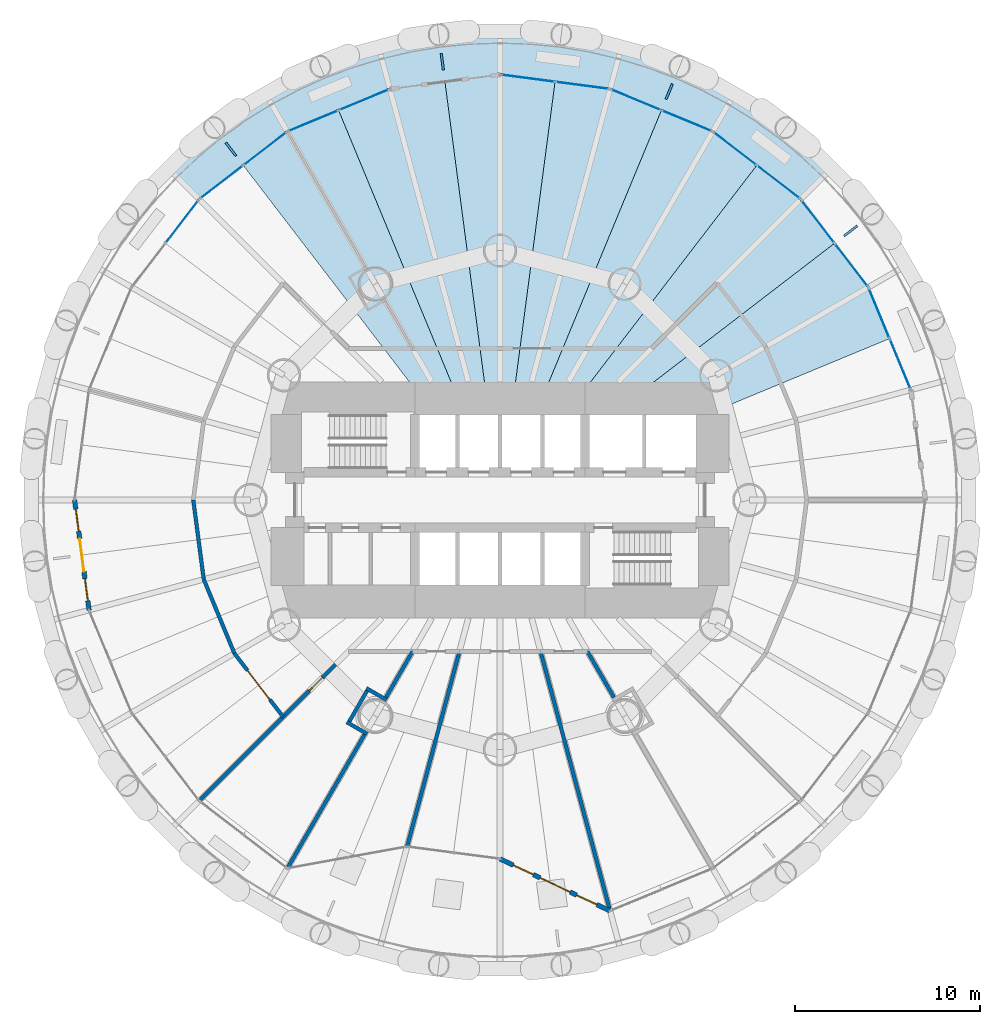
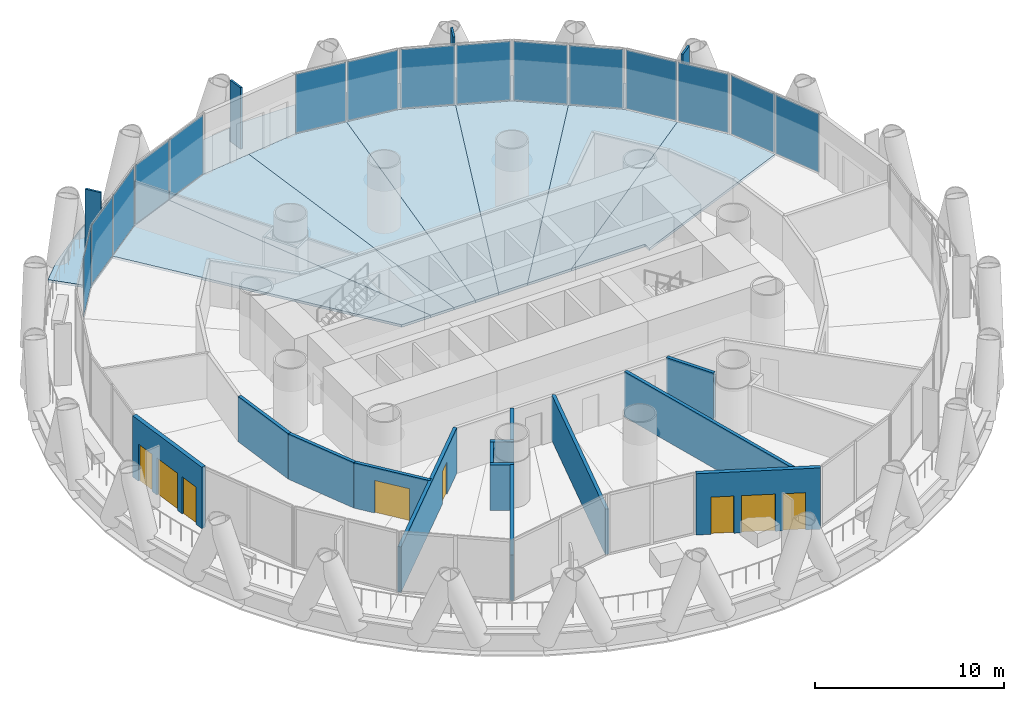
# One storey, part 9 of 15: 19 plates, 14 walls, 8 slabs, 4 doors, 4 windows, 8 openings, 8 elements without a shape of their own.
"""IFC4 building model written with IfcOpenShell, lengths in metres."""

from ifc_helpers import new_model, si_unit, direction, frame, frame_2d, origin, origin_2d, place, context, subcontext, project, spatial, polyline, rectangle, outline, extrude, material, layer, layer_set, type_object, element, fill, aggregate, save


model = new_model("IFC4")

# Units and contexts
model_context = context("Model", 3, precision=1e-05, world=origin(), true_north=direction((0.0, 1.0)))
body_context = subcontext(model_context, "Body", "Model", "MODEL_VIEW")
ifc_project = project(units=[si_unit("LENGTHUNIT", "METRE"), si_unit("AREAUNIT", "SQUARE_METRE"), si_unit("VOLUMEUNIT", "CUBIC_METRE"), si_unit("PLANEANGLEUNIT", "RADIAN"), si_unit("MASSUNIT", "GRAM", prefix="KILO")], contexts=[model_context])

# Site, building, storey
site_placement = place(None, origin())
site = spatial("IfcSite", under=ifc_project, at=site_placement, CompositionType="ELEMENT")
building_placement = place(site_placement, origin())
building = spatial("IfcBuilding", under=site, at=building_placement, Name="Qaws Media Tower", CompositionType="ELEMENT")
storey_placement = place(building_placement, frame((0.0, 0.0, 97.39990234375)))
storey = spatial("IfcBuildingStorey", under=building, at=storey_placement, Name="L21", CompositionType="ELEMENT", Elevation=97.39990234375)

# Slabs
ifc_material_1 = material(Name="Concrete C35/45", Category="concrete")
ifc_layer_1 = layer(ifc_material_1, 0.159912109375)
ifc_layer_set_1 = layer_set([ifc_layer_1], Name="Composite balcony slab 160")
slab_type_1 = type_object("IfcSlabType", Name="Composite balcony slab 160", PredefinedType="FLOOR", material=ifc_layer_set_1)
slab_1_placement = place(storey_placement, frame((0.0, 0.0, -0.159912109375)))
element("IfcSlab", 1, at=slab_1_placement, inside=storey, type_object=slab_type_1, Name="S2 balcony slab L21 R04 to R10, movement joints on R04 and R10", PredefinedType="FLOOR", context=body_context, shape_type="SweptSolid", body=[
    extrude(outline(polyline([(43.236083984375, 69.115478515625), (45.87451171875, 71.14013671875), (48.7548828125, 72.802978515625), (51.827392578125, 74.07568359375), (55.039794921875, 74.9365234375), (58.337158203125, 75.37060546875), (61.662841796875, 75.37060546875), (64.960205078125, 74.9365234375), (68.172607421875, 74.07568359375), (71.2451171875, 72.802978515625), (74.12548828125, 71.14013671875), (76.763916015625, 69.115478515625), (77.939697265625, 67.939697265625), (76.281005859375, 66.281005859375), (71.512451171875, 69.940185546875), (65.959228515625, 72.240478515625), (60.0, 73.02490234375), (54.040771484375, 72.240478515625), (48.487548828125, 69.940185546875), (43.718994140625, 66.281005859375), (42.060302734375, 67.939697265625), (43.236083984375, 69.115478515625)])), origin(), (0.0, 0.0, 1.0), 0.159912109375),
])
ifc_material_2 = material(Name="Concrete C35/45", Category="concrete")
ifc_layer_2 = layer(ifc_material_2, 0.159912109375)
ifc_layer_set_2 = layer_set([ifc_layer_2], Name="Composite floor slab 160")
slab_type_2 = type_object("IfcSlabType", Name="Composite floor slab 160", PredefinedType="FLOOR", material=ifc_layer_set_2)
slab_2_placement = place(storey_placement, frame((0.0, 0.0, -0.159912109375)))
element("IfcSlab", 2, at=slab_2_placement, inside=storey, type_object=slab_type_2, Name="S1 floor panel L21 on R03", PredefinedType="FLOOR", context=body_context, shape_type="SweptSolid", body=[
    extrude(outline(polyline([(79.940185546875, 61.512451171875), (81.09033203125, 58.73583984375), (71.0, 54.556396484375), (71.0, 55.0), (66.51611328125, 55.0), (78.110595703125, 63.896728515625), (79.940185546875, 61.512451171875)])), origin(), (0.0, 0.0, 1.0), 0.159912109375),
])
slab_3_placement = place(storey_placement, frame((0.0, 0.0, -0.159912109375)))
element("IfcSlab", 3, at=slab_3_placement, inside=storey, type_object=slab_type_2, Name="S1 floor panel L21 on R04", PredefinedType="FLOOR", context=body_context, shape_type="SweptSolid", body=[
    extrude(outline(polyline([(76.281005859375, 66.281005859375), (78.110595703125, 63.896728515625), (66.51611328125, 55.0), (63.836669921875, 55.0), (73.896728515625, 68.110595703125), (76.281005859375, 66.281005859375)])), origin(), (0.0, 0.0, 1.0), 0.159912109375),
])
slab_4_placement = place(storey_placement, frame((0.0, 0.0, -0.159912109375)))
element("IfcSlab", 4, at=slab_4_placement, inside=storey, type_object=slab_type_2, Name="S1 floor panel L21 on R05", PredefinedType="FLOOR", context=body_context, shape_type="SweptSolid", body=[
    extrude(outline(polyline([(71.512451171875, 69.940185546875), (73.896728515625, 68.110595703125), (63.836669921875, 55.0), (62.071044921875, 55.0), (68.73583984375, 71.09033203125), (71.512451171875, 69.940185546875)])), origin(), (0.0, 0.0, 1.0), 0.159912109375),
])
slab_5_placement = place(storey_placement, frame((0.0, 0.0, -0.159912109375)))
element("IfcSlab", 5, at=slab_5_placement, inside=storey, type_object=slab_type_2, Name="S1 floor panel L21 on R06", PredefinedType="FLOOR", context=body_context, shape_type="SweptSolid", body=[
    extrude(outline(polyline([(65.959228515625, 72.240478515625), (68.73583984375, 71.09033203125), (62.071044921875, 55.0), (60.658203125, 55.0), (62.979736328125, 72.6328125), (65.959228515625, 72.240478515625)])), origin(), (0.0, 0.0, 1.0), 0.159912109375),
])
slab_6_placement = place(storey_placement, frame((0.0, 0.0, -0.159912109375)))
element("IfcSlab", 6, at=slab_6_placement, inside=storey, type_object=slab_type_2, Name="S1 floor panel L21 on R07", PredefinedType="FLOOR", context=body_context, shape_type="SweptSolid", body=[
    extrude(outline(polyline([(60.0, 73.02490234375), (62.979736328125, 72.6328125), (60.658203125, 55.0), (59.341796875, 55.0), (57.020263671875, 72.6328125), (60.0, 73.02490234375)])), origin(), (0.0, 0.0, 1.0), 0.159912109375),
])
slab_7_placement = place(storey_placement, frame((0.0, 0.0, -0.159912109375)))
element("IfcSlab", 7, at=slab_7_placement, inside=storey, type_object=slab_type_2, Name="S1 floor panel L21 on R08", PredefinedType="FLOOR", context=body_context, shape_type="SweptSolid", body=[
    extrude(outline(polyline([(54.040771484375, 72.240478515625), (57.020263671875, 72.6328125), (59.341796875, 55.0), (57.928955078125, 55.0), (51.26416015625, 71.09033203125), (54.040771484375, 72.240478515625)])), origin(), (0.0, 0.0, 1.0), 0.159912109375),
])
slab_8_placement = place(storey_placement, frame((0.0, 0.0, -0.159912109375)))
element("IfcSlab", 8, at=slab_8_placement, inside=storey, type_object=slab_type_2, Name="S1 floor panel L21 on R09", PredefinedType="FLOOR", context=body_context, shape_type="SweptSolid", body=[
    extrude(outline(polyline([(48.487548828125, 69.940185546875), (51.26416015625, 71.09033203125), (57.928955078125, 55.0), (56.163330078125, 55.0), (46.103271484375, 68.110595703125), (48.487548828125, 69.940185546875)])), origin(), (0.0, 0.0, 1.0), 0.159912109375),
])

# Curtain wall, plates
ifc_material_3 = material(Name="Aluminium and clear glass", Category="aluminium")
curtain_wall_type = type_object("IfcCurtainWallType", Name="Unitised curtain wall CW-A", PredefinedType="NOTDEFINED", material=ifc_material_3)
curtain_wall_1_placement = place(storey_placement, origin())
curtain_wall_1 = element("IfcCurtainWall", 9, at=curtain_wall_1_placement, inside=storey, type_object=curtain_wall_type, Name="CWA curtain wall L21-02", PredefinedType="NOTDEFINED")
ifc_material_4 = material(Name="Clear laminated double glazing", Category="glass")
ifc_layer_3 = layer(ifc_material_4, 0.031982421875)
ifc_layer_set_3 = layer_set([ifc_layer_3], Name="Curtain wall glass unit 32")
plate_type_1 = type_object("IfcPlateType", Name="Curtain wall glass unit 32", PredefinedType="CURTAIN_PANEL", material=ifc_layer_set_3)
plate_1_placement = place(storey_placement, frame((81.65771484375, 57.365966796875, 0.080078125), z_axis=(0.0, 0.0, 1.0), x_axis=(-0.382683428576, 0.923879534081, 0.0)))
plate_1 = element("IfcPlate", 10, at=plate_1_placement, type_object=plate_type_1, Name="CWA panel 1.1", PredefinedType="CURTAIN_PANEL", context=body_context, shape_type="SweptSolid", body=[
    extrude(rectangle(XDim=2.88525390625, YDim=0.031982421875, at=origin_2d()), origin(), (0.0, 0.0, 1.0), 3.7900390625),
])
plate_2_placement = place(storey_placement, frame((80.52294921875, 60.105712890625, 0.080078125), z_axis=(0.0, 0.0, 1.0), x_axis=(-0.382683428576, 0.923879534081, 0.0)))
plate_2 = element("IfcPlate", 11, at=plate_2_placement, type_object=plate_type_1, Name="CWA panel 2.1", PredefinedType="CURTAIN_PANEL", context=body_context, shape_type="SweptSolid", body=[
    extrude(rectangle(XDim=2.88525390625, YDim=0.031982421875, at=origin_2d()), origin(), (0.0, 0.0, 1.0), 3.7900390625),
])
aggregate(curtain_wall_1, [plate_1, plate_2])

curtain_wall_2_placement = place(storey_placement, origin())
curtain_wall_2 = element("IfcCurtainWall", 12, at=curtain_wall_2_placement, inside=storey, type_object=curtain_wall_type, Name="CWA curtain wall L21-03", PredefinedType="NOTDEFINED")
plate_3_placement = place(storey_placement, frame((79.01318359375, 62.720458984375, 0.080078125), z_axis=(0.0, 0.0, 1.0), x_axis=(-0.608761369953, 0.793353385606, 0.0)))
plate_3 = element("IfcPlate", 13, at=plate_3_placement, type_object=plate_type_1, Name="CWA panel 1.1", PredefinedType="CURTAIN_PANEL", context=body_context, shape_type="SweptSolid", body=[
    extrude(rectangle(XDim=2.88525390625, YDim=0.031982421875, at=origin_2d()), origin(), (0.0, 0.0, 1.0), 3.7900390625),
])
plate_4_placement = place(storey_placement, frame((77.2080078125, 65.072998046875, 0.080078125), z_axis=(0.0, 0.0, 1.0), x_axis=(-0.608761369953, 0.793353385606, 0.0)))
plate_4 = element("IfcPlate", 14, at=plate_4_placement, type_object=plate_type_1, Name="CWA panel 2.1", PredefinedType="CURTAIN_PANEL", context=body_context, shape_type="SweptSolid", body=[
    extrude(rectangle(XDim=2.88525390625, YDim=0.031982421875, at=origin_2d()), origin(), (0.0, 0.0, 1.0), 3.7900390625),
])
aggregate(curtain_wall_2, [plate_3, plate_4])

curtain_wall_3_placement = place(storey_placement, origin())
curtain_wall_3 = element("IfcCurtainWall", 15, at=curtain_wall_3_placement, inside=storey, type_object=curtain_wall_type, Name="CWA curtain wall L21-04", PredefinedType="NOTDEFINED")
plate_5_placement = place(storey_placement, frame((75.072998046875, 67.2080078125, 0.080078125), z_axis=(0.0, 0.0, 1.0), x_axis=(-0.793353385606, 0.608761369953, 0.0)))
plate_5 = element("IfcPlate", 16, at=plate_5_placement, type_object=plate_type_1, Name="CWA panel 1.1", PredefinedType="CURTAIN_PANEL", context=body_context, shape_type="SweptSolid", body=[
    extrude(rectangle(XDim=2.88525390625, YDim=0.031982421875, at=origin_2d()), origin(), (0.0, 0.0, 1.0), 3.7900390625),
])
plate_6_placement = place(storey_placement, frame((72.720458984375, 69.01318359375, 0.080078125), z_axis=(0.0, 0.0, 1.0), x_axis=(-0.793353385606, 0.608761369953, 0.0)))
plate_6 = element("IfcPlate", 17, at=plate_6_placement, type_object=plate_type_1, Name="CWA panel 2.1", PredefinedType="CURTAIN_PANEL", context=body_context, shape_type="SweptSolid", body=[
    extrude(rectangle(XDim=2.88525390625, YDim=0.031982421875, at=origin_2d()), origin(), (0.0, 0.0, 1.0), 3.7900390625),
])
aggregate(curtain_wall_3, [plate_5, plate_6])

curtain_wall_4_placement = place(storey_placement, origin())
curtain_wall_4 = element("IfcCurtainWall", 18, at=curtain_wall_4_placement, inside=storey, type_object=curtain_wall_type, Name="CWA curtain wall L21-05", PredefinedType="NOTDEFINED")
plate_7_placement = place(storey_placement, frame((70.105712890625, 70.52294921875, 0.080078125), z_axis=(0.0, 0.0, 1.0), x_axis=(-0.923879534081, 0.382683428576, 0.0)))
plate_7 = element("IfcPlate", 19, at=plate_7_placement, type_object=plate_type_1, Name="CWA panel 1.1", PredefinedType="CURTAIN_PANEL", context=body_context, shape_type="SweptSolid", body=[
    extrude(rectangle(XDim=2.88525390625, YDim=0.031982421875, at=origin_2d()), origin(), (0.0, 0.0, 1.0), 3.7900390625),
])
plate_8_placement = place(storey_placement, frame((67.365966796875, 71.65771484375, 0.080078125), z_axis=(0.0, 0.0, 1.0), x_axis=(-0.923879534081, 0.382683428576, 0.0)))
plate_8 = element("IfcPlate", 20, at=plate_8_placement, type_object=plate_type_1, Name="CWA panel 2.1", PredefinedType="CURTAIN_PANEL", context=body_context, shape_type="SweptSolid", body=[
    extrude(rectangle(XDim=2.88525390625, YDim=0.031982421875, at=origin_2d()), origin(), (0.0, 0.0, 1.0), 3.7900390625),
])
aggregate(curtain_wall_4, [plate_7, plate_8])

curtain_wall_5_placement = place(storey_placement, origin())
curtain_wall_5 = element("IfcCurtainWall", 21, at=curtain_wall_5_placement, inside=storey, type_object=curtain_wall_type, Name="CWA curtain wall L21-06", PredefinedType="NOTDEFINED")
plate_9_placement = place(storey_placement, frame((64.44970703125, 72.439208984375, 0.080078125), z_axis=(0.0, 0.0, 1.0), x_axis=(-0.991444859517, 0.130526206323, 0.0)))
plate_9 = element("IfcPlate", 22, at=plate_9_placement, type_object=plate_type_1, Name="CWA panel 1.1", PredefinedType="CURTAIN_PANEL", context=body_context, shape_type="SweptSolid", body=[
    extrude(rectangle(XDim=2.88525390625, YDim=0.031982421875, at=origin_2d()), origin(), (0.0, 0.0, 1.0), 3.7900390625),
])
plate_10_placement = place(storey_placement, frame((61.509765625, 72.826171875, 0.080078125), z_axis=(0.0, 0.0, 1.0), x_axis=(-0.991444859517, 0.130526206323, 0.0)))
plate_10 = element("IfcPlate", 23, at=plate_10_placement, type_object=plate_type_1, Name="CWA panel 2.1", PredefinedType="CURTAIN_PANEL", context=body_context, shape_type="SweptSolid", body=[
    extrude(rectangle(XDim=2.88525390625, YDim=0.031982421875, at=origin_2d()), origin(), (0.0, 0.0, 1.0), 3.7900390625),
])
aggregate(curtain_wall_5, [plate_9, plate_10])

curtain_wall_6_placement = place(storey_placement, origin())
curtain_wall_6 = element("IfcCurtainWall", 24, at=curtain_wall_6_placement, inside=storey, type_object=curtain_wall_type, Name="CWA curtain wall L21-08", PredefinedType="NOTDEFINED")
plate_11_placement = place(storey_placement, frame((52.634033203125, 71.65771484375, 0.080078125), z_axis=(0.0, 0.0, 1.0), x_axis=(-0.923879534081, -0.382683428576, 0.0)))
plate_11 = element("IfcPlate", 25, at=plate_11_placement, type_object=plate_type_1, Name="CWA panel 1.1", PredefinedType="CURTAIN_PANEL", context=body_context, shape_type="SweptSolid", body=[
    extrude(rectangle(XDim=2.88525390625, YDim=0.031982421875, at=origin_2d()), origin(), (0.0, 0.0, 1.0), 3.7900390625),
])
plate_12_placement = place(storey_placement, frame((49.894287109375, 70.52294921875, 0.080078125), z_axis=(0.0, 0.0, 1.0), x_axis=(-0.923879534081, -0.382683428576, 0.0)))
plate_12 = element("IfcPlate", 26, at=plate_12_placement, type_object=plate_type_1, Name="CWA panel 2.1", PredefinedType="CURTAIN_PANEL", context=body_context, shape_type="SweptSolid", body=[
    extrude(rectangle(XDim=2.88525390625, YDim=0.031982421875, at=origin_2d()), origin(), (0.0, 0.0, 1.0), 3.7900390625),
])
aggregate(curtain_wall_6, [plate_11, plate_12])

curtain_wall_7_placement = place(storey_placement, origin())
curtain_wall_7 = element("IfcCurtainWall", 27, at=curtain_wall_7_placement, inside=storey, type_object=curtain_wall_type, Name="CWA curtain wall L21-09", PredefinedType="NOTDEFINED")
plate_13_placement = place(storey_placement, frame((47.279541015625, 69.01318359375, 0.080078125), z_axis=(0.0, 0.0, 1.0), x_axis=(-0.793353385606, -0.608761369953, 0.0)))
plate_13 = element("IfcPlate", 28, at=plate_13_placement, type_object=plate_type_1, Name="CWA panel 1.1", PredefinedType="CURTAIN_PANEL", context=body_context, shape_type="SweptSolid", body=[
    extrude(rectangle(XDim=2.88525390625, YDim=0.031982421875, at=origin_2d()), origin(), (0.0, 0.0, 1.0), 3.7900390625),
])
plate_14_placement = place(storey_placement, frame((44.927001953125, 67.2080078125, 0.080078125), z_axis=(0.0, 0.0, 1.0), x_axis=(-0.793353385606, -0.608761369953, 0.0)))
plate_14 = element("IfcPlate", 29, at=plate_14_placement, type_object=plate_type_1, Name="CWA panel 2.1", PredefinedType="CURTAIN_PANEL", context=body_context, shape_type="SweptSolid", body=[
    extrude(rectangle(XDim=2.88525390625, YDim=0.031982421875, at=origin_2d()), origin(), (0.0, 0.0, 1.0), 3.7900390625),
])
aggregate(curtain_wall_7, [plate_13, plate_14])

# Curtain wall, plate
curtain_wall_8_placement = place(storey_placement, origin())
curtain_wall_8 = element("IfcCurtainWall", 30, at=curtain_wall_8_placement, inside=storey, type_object=curtain_wall_type, Name="CWA curtain wall L21-10", PredefinedType="NOTDEFINED")
plate_15_placement = place(storey_placement, frame((42.7919921875, 65.072998046875, 0.080078125), z_axis=(0.0, 0.0, 1.0), x_axis=(-0.608761369953, -0.793353385606, 0.0)))
plate_15 = element("IfcPlate", 31, at=plate_15_placement, type_object=plate_type_1, Name="CWA panel 1.1", PredefinedType="CURTAIN_PANEL", context=body_context, shape_type="SweptSolid", body=[
    extrude(rectangle(XDim=2.88525390625, YDim=0.031982421875, at=origin_2d()), origin(), (0.0, 0.0, 1.0), 3.7900390625),
])
aggregate(curtain_wall_8, [plate_15])

# Plates
ifc_material_5 = material(Name="Precast concrete screen fin", Category="concrete")
ifc_layer_4 = layer(ifc_material_5, 0.1201171875)
ifc_layer_set_4 = layer_set([ifc_layer_4], Name="Screen fin 120x900")
plate_type_2 = type_object("IfcPlateType", Name="Screen fin 120x900", PredefinedType="USERDEFINED", material=ifc_layer_set_4)
for number, where, z_axis, x_axis, name in (
    (32, (78.98095703125, 64.564697265625, 0.0), (0.0, 0.0, 1.0), (0.793353340291, 0.608761429009, 0.0), "SCR1 screen fin L21-02"),
    (33, (69.15576171875, 72.103759765625, 0.0), (0.0, 0.0, 1.0), (0.382683432365, 0.923879532511, 0.0), "SCR1 screen fin L21-03"),
    (34, (56.877197265625, 73.72021484375, 0.0), (0.0, 0.0, 1.0), (-0.13052619222, 0.991444861374, 0.0), "SCR1 screen fin L21-04"),
    (35, (45.435302734375, 68.98095703125, 0.0), (0.0, 0.0, 1.0), (-0.608761429009, 0.793353340291, 0.0), "SCR1 screen fin L21-05"),
):
    element("IfcPlate", number, at=place(storey_placement, frame(where, z_axis=z_axis, x_axis=x_axis)), inside=storey, type_object=plate_type_2, Name=name, ObjectType="SCREEN", PredefinedType="USERDEFINED", context=body_context, shape_type="SweptSolid", body=[
        extrude(rectangle(XDim=0.89990234375, YDim=0.1201171875, at=origin_2d()), origin(), (0.0, 0.0, 1.0), 3.949951171875),
    ])

# Wall, openings, door, windows
ifc_material_6 = material(Name="Precast concrete, exposed finish", Category="concrete")
ifc_layer_5 = layer(ifc_material_6, 0.25)
ifc_layer_set_5 = layer_set([ifc_layer_5], Name="Balcony door wall 250")
wall_type_1 = type_object("IfcWallType", Name="Balcony door wall 250", PredefinedType="SOLIDWALL", material=ifc_layer_set_5)
wall_1_placement = place(storey_placement, frame((36.97509765625, 50.0, 0.0), z_axis=(0.0, 0.0, 1.0), x_axis=(0.130505997029, -0.991447519912, 0.0)))
wall_1 = element("IfcWall", 36, at=wall_1_placement, inside=storey, type_object=wall_type_1, Name="W162 EW1 balcony door wall L21-13", PredefinedType="SOLIDWALL", context=body_context, shape_type="SweptSolid", body=[
    extrude(rectangle(XDim=6.0107421875, YDim=0.25, at=frame_2d((3.00537109375, 0.0))), origin(), (0.0, 0.0, 1.0), 3.9501953125),
])
opening_1_placement = place(wall_1_placement, frame((2.10546875, 0.0, 0.0)))
opening_1 = element("IfcOpeningElement", 37, at=opening_1_placement, cuts=wall_1, Name="Opening D7", PredefinedType="OPENING", context=body_context, shape_type="SweptSolid", body=[
    extrude(rectangle(XDim=1.800048828125, YDim=2.39990234375, at=frame_2d((0.89990234375, 1.199951171875))), frame((0.0, 0.135009765625, 0.0), z_axis=(0.0, -1.0, 0.0), x_axis=(1.0, 0.0, 0.0)), (0.0, 0.0, 1.0), 0.27001953125),
])
opening_2_placement = place(wall_1_placement, frame((0.50537109375, 0.0, 0.0)))
opening_2 = element("IfcOpeningElement", 38, at=opening_2_placement, cuts=wall_1, Name="Opening W1", PredefinedType="OPENING", context=body_context, shape_type="SweptSolid", body=[
    extrude(rectangle(XDim=1.199951171875, YDim=2.39990234375, at=frame_2d((0.60009765625, 1.199951171875))), frame((0.0, 0.135009765625, 0.0), z_axis=(0.0, -1.0, 0.0), x_axis=(1.0, 0.0, 0.0)), (0.0, 0.0, 1.0), 0.27001953125),
])
opening_3_placement = place(wall_1_placement, frame((4.305419921875, 0.0, 0.0)))
opening_3 = element("IfcOpeningElement", 39, at=opening_3_placement, cuts=wall_1, Name="Opening W1", PredefinedType="OPENING", context=body_context, shape_type="SweptSolid", body=[
    extrude(rectangle(XDim=1.199951171875, YDim=2.39990234375, at=frame_2d((0.60009765625, 1.199951171875))), frame((0.0, 0.135009765625, 0.0), z_axis=(0.0, -1.0, 0.0), x_axis=(1.0, 0.0, 0.0)), (0.0, 0.0, 1.0), 0.27001953125),
])
ifc_material_7 = material(Name="Aluminium and clear glass", Category="aluminium")
door_type_1 = type_object("IfcDoorType", Name="Balcony door pair 1800", OperationType="DOUBLE_DOOR_SLIDING", PredefinedType="DOOR", material=ifc_material_7)
door_1_placement = place(opening_1_placement, origin())
door_1 = element("IfcDoor", 40, at=door_1_placement, inside=storey, type_object=door_type_1, Name="D7 balcony door L21-13 in wall W162", OperationType="DOUBLE_DOOR_SLIDING", OverallHeight=2.39990234375, OverallWidth=1.800048828125, PredefinedType="DOOR", context=body_context, shape_type="SweptSolid", body=[
    extrude(rectangle(XDim=1.800048828125, YDim=2.39990234375, at=frame_2d((0.89990234375, 1.199951171875))), frame((0.0, 0.02490234375, 0.0), z_axis=(0.0, -1.0, 0.0), x_axis=(1.0, 0.0, 0.0)), (0.0, 0.0, 1.0), 0.050048828125),
])
fill(opening_1, door_1)
ifc_material_8 = material(Name="Aluminium and clear glass", Category="aluminium")
window_type = type_object("IfcWindowType", Name="Balcony side window 1200", PartitioningType="SINGLE_PANEL", PredefinedType="WINDOW", material=ifc_material_8)
window_1_placement = place(opening_2_placement, origin())
window_1 = element("IfcWindow", 41, at=window_1_placement, inside=storey, type_object=window_type, Name="W1 balcony side light L21-13L", OverallHeight=2.39990234375, OverallWidth=1.199951171875, PartitioningType="SINGLE_PANEL", PredefinedType="WINDOW", context=body_context, shape_type="SweptSolid", body=[
    extrude(rectangle(XDim=1.199951171875, YDim=2.39990234375, at=frame_2d((0.60009765625, 1.199951171875))), frame((0.0, 0.030029296875, 0.0), z_axis=(0.0, -1.0, 0.0), x_axis=(1.0, 0.0, 0.0)), (0.0, 0.0, 1.0), 0.06005859375),
])
fill(opening_2, window_1)
window_2_placement = place(opening_3_placement, origin())
window_2 = element("IfcWindow", 42, at=window_2_placement, inside=storey, type_object=window_type, Name="W1 balcony side light L21-13R", OverallHeight=2.39990234375, OverallWidth=1.199951171875, PartitioningType="SINGLE_PANEL", PredefinedType="WINDOW", context=body_context, shape_type="SweptSolid", body=[
    extrude(rectangle(XDim=1.199951171875, YDim=2.39990234375, at=frame_2d((0.60009765625, 1.199951171875))), frame((0.0, 0.030029296875, 0.0), z_axis=(0.0, -1.0, 0.0), x_axis=(1.0, 0.0, 0.0)), (0.0, 0.0, 1.0), 0.06005859375),
])
fill(opening_3, window_2)

wall_2_placement = place(storey_placement, frame((60.0, 30.574951171875, 0.0), z_axis=(0.0, 0.0, 1.0), x_axis=(0.904169568366, -0.427173725363, 0.0)))
wall_2 = element("IfcWall", 43, at=wall_2_placement, inside=storey, type_object=wall_type_1, Name="W163 EW1 balcony door wall L21-19", PredefinedType="SOLIDWALL", context=body_context, shape_type="SweptSolid", body=[
    extrude(rectangle(XDim=6.5908203125, YDim=0.25, at=frame_2d((3.29541015625, 0.0))), origin(), (0.0, 0.0, 1.0), 3.9501953125),
])
opening_4_placement = place(wall_2_placement, frame((2.3955078125, 0.0, 0.0)))
opening_4 = element("IfcOpeningElement", 44, at=opening_4_placement, cuts=wall_2, Name="Opening D7", PredefinedType="OPENING", context=body_context, shape_type="SweptSolid", body=[
    extrude(rectangle(XDim=1.800048828125, YDim=2.39990234375, at=frame_2d((0.89990234375, 1.199951171875))), frame((0.0, 0.135009765625, 0.0), z_axis=(0.0, -1.0, 0.0), x_axis=(1.0, 0.0, 0.0)), (0.0, 0.0, 1.0), 0.27001953125),
])
opening_5_placement = place(wall_2_placement, frame((0.79541015625, 0.0, 0.0)))
opening_5 = element("IfcOpeningElement", 45, at=opening_5_placement, cuts=wall_2, Name="Opening W1", PredefinedType="OPENING", context=body_context, shape_type="SweptSolid", body=[
    extrude(rectangle(XDim=1.199951171875, YDim=2.39990234375, at=frame_2d((0.60009765625, 1.199951171875))), frame((0.0, 0.135009765625, 0.0), z_axis=(0.0, -1.0, 0.0), x_axis=(1.0, 0.0, 0.0)), (0.0, 0.0, 1.0), 0.27001953125),
])
opening_6_placement = place(wall_2_placement, frame((4.595458984375, 0.0, 0.0)))
opening_6 = element("IfcOpeningElement", 46, at=opening_6_placement, cuts=wall_2, Name="Opening W1", PredefinedType="OPENING", context=body_context, shape_type="SweptSolid", body=[
    extrude(rectangle(XDim=1.199951171875, YDim=2.39990234375, at=frame_2d((0.60009765625, 1.199951171875))), frame((0.0, 0.135009765625, 0.0), z_axis=(0.0, -1.0, 0.0), x_axis=(1.0, 0.0, 0.0)), (0.0, 0.0, 1.0), 0.27001953125),
])
door_2_placement = place(opening_4_placement, origin())
door_2 = element("IfcDoor", 47, at=door_2_placement, inside=storey, type_object=door_type_1, Name="D7 balcony door L21-19 in wall W163", OperationType="DOUBLE_DOOR_SLIDING", OverallHeight=2.39990234375, OverallWidth=1.800048828125, PredefinedType="DOOR", context=body_context, shape_type="SweptSolid", body=[
    extrude(rectangle(XDim=1.800048828125, YDim=2.39990234375, at=frame_2d((0.89990234375, 1.199951171875))), frame((0.0, 0.02490234375, 0.0), z_axis=(0.0, -1.0, 0.0), x_axis=(1.0, 0.0, 0.0)), (0.0, 0.0, 1.0), 0.050048828125),
])
fill(opening_4, door_2)
window_3_placement = place(opening_5_placement, origin())
window_3 = element("IfcWindow", 48, at=window_3_placement, inside=storey, type_object=window_type, Name="W1 balcony side light L21-19L", OverallHeight=2.39990234375, OverallWidth=1.199951171875, PartitioningType="SINGLE_PANEL", PredefinedType="WINDOW", context=body_context, shape_type="SweptSolid", body=[
    extrude(rectangle(XDim=1.199951171875, YDim=2.39990234375, at=frame_2d((0.60009765625, 1.199951171875))), frame((0.0, 0.030029296875, 0.0), z_axis=(0.0, -1.0, 0.0), x_axis=(1.0, 0.0, 0.0)), (0.0, 0.0, 1.0), 0.06005859375),
])
fill(opening_5, window_3)
window_4_placement = place(opening_6_placement, origin())
window_4 = element("IfcWindow", 49, at=window_4_placement, inside=storey, type_object=window_type, Name="W1 balcony side light L21-19R", OverallHeight=2.39990234375, OverallWidth=1.199951171875, PartitioningType="SINGLE_PANEL", PredefinedType="WINDOW", context=body_context, shape_type="SweptSolid", body=[
    extrude(rectangle(XDim=1.199951171875, YDim=2.39990234375, at=frame_2d((0.60009765625, 1.199951171875))), frame((0.0, 0.030029296875, 0.0), z_axis=(0.0, -1.0, 0.0), x_axis=(1.0, 0.0, 0.0)), (0.0, 0.0, 1.0), 0.06005859375),
])
fill(opening_6, window_4)

# Wall, opening, door
ifc_material_9 = material(Name="Gypsum board on galvanised metal studs, acoustic double stud, deflection head", Category="gypsum")
ifc_layer_6 = layer(ifc_material_9, 0.199951171875)
ifc_layer_set_6 = layer_set([ifc_layer_6], Name="Room partition 200")
wall_type_2 = type_object("IfcWallType", Name="Room partition 200", PredefinedType="PARTITIONING", material=ifc_layer_set_6)
wall_3_placement = place(storey_placement, frame((48.261962890625, 38.261962890625, 0.0), z_axis=(0.0, 0.0, 1.0), x_axis=(-0.60874374674, 0.79336690806, 0.0)))
wall_3 = element("IfcWall", 50, at=wall_3_placement, inside=storey, type_object=wall_type_2, Name="W1137 IW3 partition L21", PredefinedType="PARTITIONING", context=body_context, shape_type="SweptSolid", body=[
    extrude(rectangle(XDim=4.33349609375, YDim=0.199951171875, at=frame_2d((2.166748046875, 0.0))), origin(), (0.0, 0.0, 1.0), 2.93017578125),
])
opening_7_placement = place(wall_3_placement, frame((1.166748046875, 0.0, 0.0)))
opening_7 = element("IfcOpeningElement", 51, at=opening_7_placement, cuts=wall_3, Name="Opening D6", PredefinedType="OPENING", context=body_context, shape_type="SweptSolid", body=[
    extrude(rectangle(XDim=2.0, YDim=2.10009765625, at=frame_2d((1.0, 1.050048828125))), frame((0.0, 0.10986328125, 0.0), z_axis=(0.0, -1.0, 0.0), x_axis=(1.0, 0.0, 0.0)), (0.0, 0.0, 1.0), 0.219970703125),
])
ifc_material_10 = material(Name="Steel, acoustic, fire rated", Category="steel")
door_type_2 = type_object("IfcDoorType", Name="Room door pair 2000", OperationType="DOUBLE_DOOR_DOUBLE_SWING", PredefinedType="DOOR", material=ifc_material_10)
door_3_placement = place(opening_7_placement, origin())
door_3 = element("IfcDoor", 52, at=door_3_placement, inside=storey, type_object=door_type_2, Name="D6 Media asset management office door L21 in wall W1137", OperationType="DOUBLE_DOOR_DOUBLE_SWING", OverallHeight=2.10009765625, OverallWidth=2.0, PredefinedType="DOOR", context=body_context, shape_type="SweptSolid", body=[
    extrude(rectangle(XDim=2.0, YDim=2.10009765625, at=frame_2d((1.0, 1.050048828125))), frame((0.0, 0.02490234375, 0.0), z_axis=(0.0, -1.0, 0.0), x_axis=(1.0, 0.0, 0.0)), (0.0, 0.0, 1.0), 0.050048828125),
])
fill(opening_7, door_3)

# Walls
for number, where, z_axis, x_axis, name in (
    (53, (45.6240234375, 41.699951171875, 0.0), (0.0, 0.0, 1.0), (-0.382698425325, 0.923873322082, 0.0), "W1135 IW3 partition L21"),
    (54, (43.965576171875, 45.70361328125, 0.0), (0.0, 0.0, 1.0), (-0.130536124221, 0.99144355375, 0.0), "W1133 IW3 partition L21"),
):
    element("IfcWall", number, at=place(storey_placement, frame(where, z_axis=z_axis, x_axis=x_axis)), inside=storey, type_object=wall_type_2, Name=name, PredefinedType="PARTITIONING", context=body_context, shape_type="SweptSolid", body=[
        extrude(rectangle(XDim=4.33349609375, YDim=0.199951171875, at=frame_2d((2.166748046875, 0.0))), origin(), (0.0, 0.0, 1.0), 2.93017578125),
    ])

# Wall, opening, door
wall_4_placement = place(storey_placement, frame((51.800048828125, 41.800048828125, 0.0), z_axis=(0.0, 0.0, 1.0), x_axis=(-0.707106781187, -0.707106781187, 0.0)))
wall_4 = element("IfcWall", 55, at=wall_4_placement, inside=storey, type_object=wall_type_2, Name="W1139 IW3 partition L21", PredefinedType="PARTITIONING", context=body_context, shape_type="SweptSolid", body=[
    extrude(rectangle(XDim=11.388671875, YDim=0.199951171875, at=frame_2d((5.6943359375, 0.0))), origin(), (0.0, 0.0, 1.0), 2.93017578125),
])
opening_8_placement = place(wall_4_placement, frame((2.001708984375, 0.0, 0.0)))
opening_8 = element("IfcOpeningElement", 56, at=opening_8_placement, cuts=wall_4, Name="Opening D5", PredefinedType="OPENING", context=body_context, shape_type="SweptSolid", body=[
    extrude(rectangle(XDim=1.0, YDim=2.10009765625, at=frame_2d((0.5, 1.050048828125))), frame((0.0, 0.10986328125, 0.0), z_axis=(0.0, -1.0, 0.0), x_axis=(1.0, 0.0, 0.0)), (0.0, 0.0, 1.0), 0.219970703125),
])
ifc_material_11 = material(Name="Timber veneered, acoustic seal", Category="wood")
door_type_3 = type_object("IfcDoorType", Name="Room door 1000", OperationType="SINGLE_SWING_LEFT", PredefinedType="DOOR", material=ifc_material_11)
door_4_placement = place(opening_8_placement, origin())
door_4 = element("IfcDoor", 57, at=door_4_placement, inside=storey, type_object=door_type_3, Name="D5 Server room door L21 in wall W1139", OperationType="SINGLE_SWING_LEFT", OverallHeight=2.10009765625, OverallWidth=1.0, PredefinedType="DOOR", context=body_context, shape_type="SweptSolid", body=[
    extrude(rectangle(XDim=1.0, YDim=2.10009765625, at=frame_2d((0.5, 1.050048828125))), frame((0.0, 0.02490234375, 0.0), z_axis=(0.0, -1.0, 0.0), x_axis=(1.0, 0.0, 0.0)), (0.0, 0.0, 1.0), 0.050048828125),
])
fill(opening_8, door_4)

# Walls
wall_5_placement = place(storey_placement, frame((53.86669921875, 39.176513671875, 0.0), z_axis=(0.0, 0.0, 1.0), x_axis=(-0.866022320763, 0.500005339912, 0.0)))
element("IfcWall", 58, at=wall_5_placement, inside=storey, type_object=wall_type_2, Name="W1144 IW3 partition return L21", PredefinedType="PARTITIONING", context=body_context, shape_type="SweptSolid", body=[
    extrude(rectangle(XDim=1.27001953125, YDim=0.199951171875, at=frame_2d((0.635009765625, 0.0))), origin(), (0.0, 0.0, 1.0), 2.93017578125),
])
wall_6_placement = place(storey_placement, frame((52.806640625, 37.3408203125, 0.0), z_axis=(0.0, 0.0, 1.0), x_axis=(-0.8661055579, 0.499861143294, 0.0)))
element("IfcWall", 59, at=wall_6_placement, inside=storey, type_object=wall_type_2, Name="W1143 IW3 partition return L21", PredefinedType="PARTITIONING", context=body_context, shape_type="SweptSolid", body=[
    extrude(rectangle(XDim=1.269775390625, YDim=0.199951171875, at=frame_2d((0.634765625, 0.0))), origin(), (0.0, 0.0, 1.0), 2.93017578125),
])
wall_7_placement = place(storey_placement, frame((52.803466796875, 39.675048828125, 0.0), z_axis=(0.0, 0.0, 1.0), x_axis=(-0.49996827322, -0.866043720474, 0.0)))
element("IfcWall", 60, at=wall_7_placement, inside=storey, type_object=wall_type_2, Name="W1142 IW3 partition return L21", PredefinedType="PARTITIONING", context=body_context, shape_type="SweptSolid", body=[
    extrude(rectangle(XDim=1.919921875, YDim=0.199951171875, at=frame_2d((0.9599609375, 0.0))), origin(), (0.0, 0.0, 1.0), 2.93017578125),
])
wall_8_placement = place(storey_placement, frame((55.27001953125, 41.807373046875, 0.0), z_axis=(0.0, 0.0, 1.0), x_axis=(-0.499986626058, -0.866033125095, 0.0)))
element("IfcWall", 61, at=wall_8_placement, inside=storey, type_object=wall_type_2, Name="W1147 IW3 partition L21", PredefinedType="PARTITIONING", context=body_context, shape_type="SweptSolid", body=[
    extrude(rectangle(XDim=2.8798828125, YDim=0.199951171875, at=frame_2d((1.43994140625, 0.0))), origin(), (0.0, 0.0, 1.0), 2.9501953125),
])
wall_9_placement = place(storey_placement, frame((52.669921875, 37.30419921875, 0.0), z_axis=(0.0, 0.0, 1.0), x_axis=(-0.499983926186, -0.866034683806, 0.0)))
element("IfcWall", 62, at=wall_9_placement, inside=storey, type_object=wall_type_2, Name="W1141 IW3 partition L21", PredefinedType="PARTITIONING", context=body_context, shape_type="SweptSolid", body=[
    extrude(rectangle(XDim=8.324951171875, YDim=0.199951171875, at=frame_2d((4.16259765625, 0.0))), origin(), (0.0, 0.0, 1.0), 2.9501953125),
])
wall_10_placement = place(storey_placement, frame((57.80517578125, 41.808837890625, 0.0), z_axis=(0.0, 0.0, 1.0), x_axis=(-0.258805093642, -0.965929564464, 0.0)))
element("IfcWall", 63, at=wall_10_placement, inside=storey, type_object=wall_type_2, Name="W1149 IW3 partition L21", PredefinedType="PARTITIONING", context=body_context, shape_type="SweptSolid", body=[
    extrude(rectangle(XDim=10.905029296875, YDim=0.199951171875, at=frame_2d((5.45263671875, 0.0))), origin(), (0.0, 0.0, 1.0), 2.93017578125),
])
wall_11_placement = place(storey_placement, frame((62.19482421875, 41.808837890625, 0.0), z_axis=(0.0, 0.0, 1.0), x_axis=(0.258819671697, -0.965925658393, 0.0)))
element("IfcWall", 64, at=wall_11_placement, inside=storey, type_object=wall_type_2, Name="W1150 IW3 partition L21", PredefinedType="PARTITIONING", context=body_context, shape_type="SweptSolid", body=[
    extrude(rectangle(XDim=14.40478515625, YDim=0.199951171875, at=frame_2d((7.202392578125, 0.0))), origin(), (0.0, 0.0, 1.0), 2.93017578125),
])
wall_12_placement = place(storey_placement, frame((64.72998046875, 41.807373046875, 0.0), z_axis=(0.0, 0.0, 1.0), x_axis=(0.499986626058, -0.866033125095, 0.0)))
element("IfcWall", 65, at=wall_12_placement, inside=storey, type_object=wall_type_2, Name="W1152 IW3 partition L21", PredefinedType="PARTITIONING", context=body_context, shape_type="SweptSolid", body=[
    extrude(rectangle(XDim=2.8798828125, YDim=0.199951171875, at=frame_2d((1.43994140625, 0.0))), origin(), (0.0, 0.0, 1.0), 2.9501953125),
])

save(model, "model.ifc")
